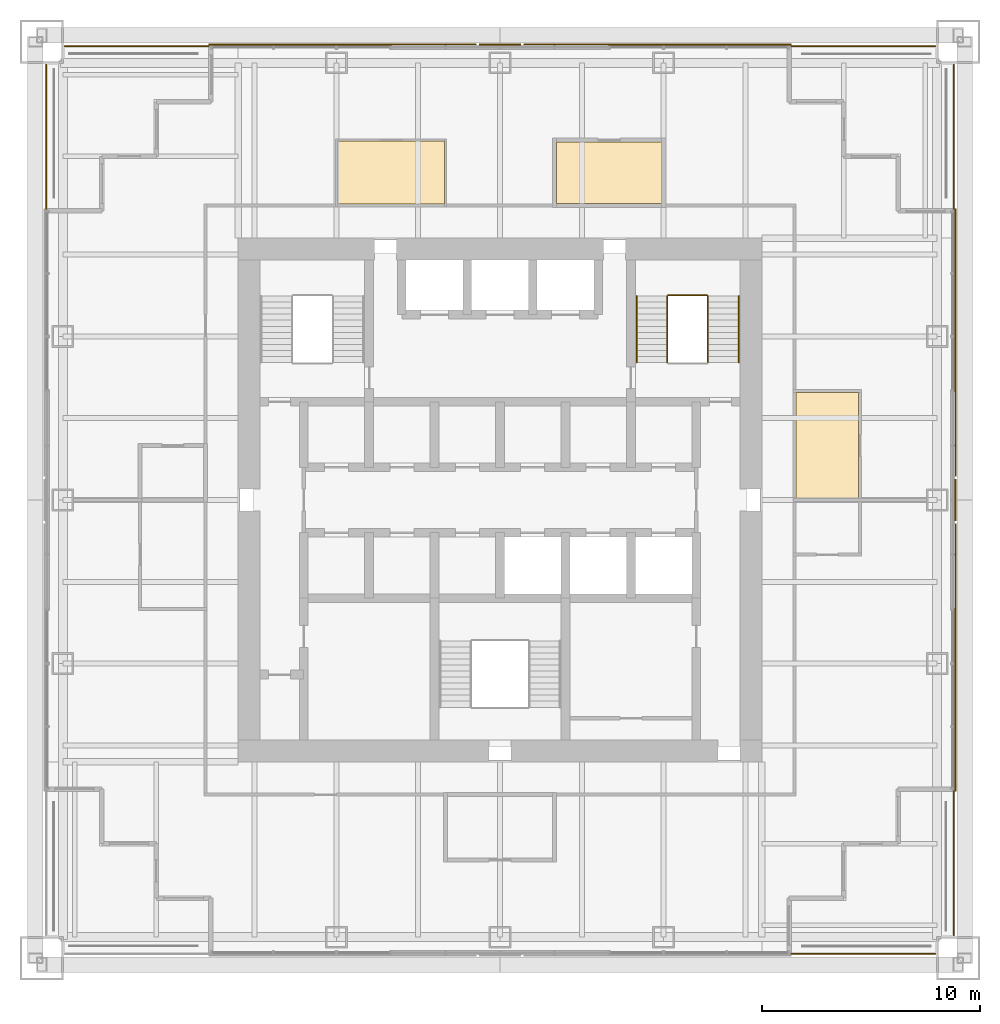
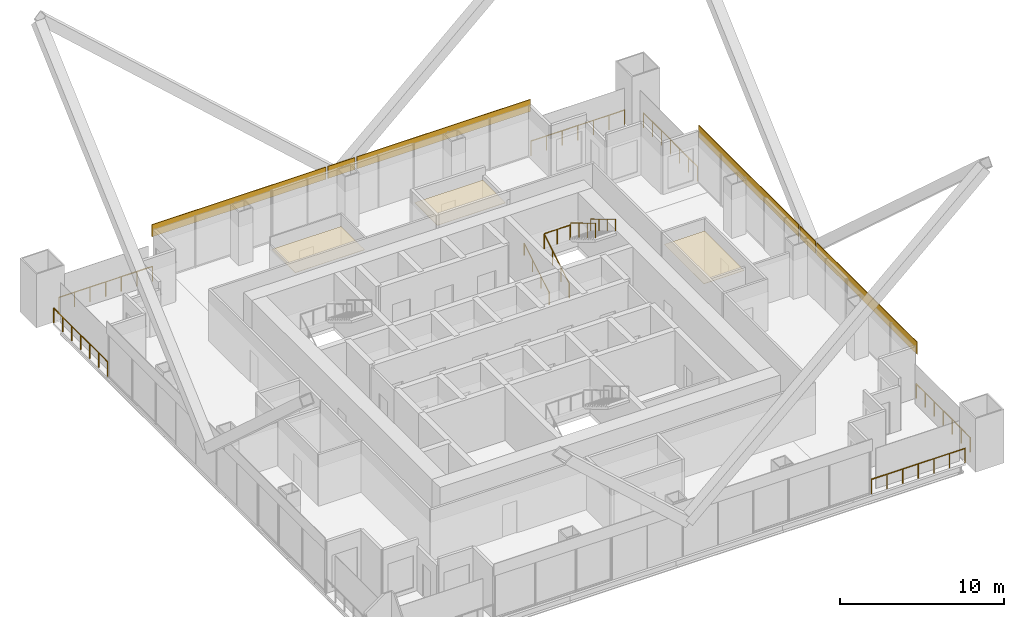
# One storey, part 19 of 19: 11 railings, 9 coverings.
"""IFC4 building model written with IfcOpenShell, lengths in metres."""

from ifc_helpers import new_model, si_unit, direction, frame, origin, origin_2d, place, context, subcontext, project, spatial, polyline, rectangle, circle, outline, extrude, material, layer, layer_set, type_object, element, save


model = new_model("IFC4")

# Units and contexts
model_context = context("Model", 3, precision=1e-05, world=origin(), true_north=direction((0.0, 1.0)))
body_context = subcontext(model_context, "Body", "Model", "MODEL_VIEW")
ifc_project = project(units=[si_unit("LENGTHUNIT", "METRE"), si_unit("AREAUNIT", "SQUARE_METRE"), si_unit("VOLUMEUNIT", "CUBIC_METRE"), si_unit("PLANEANGLEUNIT", "RADIAN"), si_unit("MASSUNIT", "GRAM", prefix="KILO")], contexts=[model_context])

# Site, building, storey
site_placement = place(None, origin())
site = spatial("IfcSite", under=ifc_project, at=site_placement, CompositionType="ELEMENT")
building_placement = place(site_placement, origin())
building = spatial("IfcBuilding", under=site, at=building_placement, Name="Tarangal Relay Tower", CompositionType="ELEMENT")
storey_placement = place(building_placement, frame((0.0, 0.0, 275.89990234375)))
storey = spatial("IfcBuildingStorey", under=building, at=storey_placement, Name="L60", CompositionType="ELEMENT", Elevation=275.89990234375)

# Coverings
ifc_material_1 = material(Name="Black anodised aluminium cladding", Category="aluminium")
ifc_layer_1 = layer(ifc_material_1, 0.050048828125)
ifc_layer_set_1 = layer_set([ifc_layer_1], Name="Black metal spandrel band")
covering_type_1 = type_object("IfcCoveringType", Name="Black metal spandrel band", PredefinedType="CLADDING", material=ifc_layer_set_1)
covering_1_placement = place(storey_placement, frame((-7.22119140625, 20.875, 3.250244140625), z_axis=(0.0, 0.0, 1.0), x_axis=(1.0, 0.0, 0.0)))
element("IfcCovering", 1, at=covering_1_placement, inside=storey, type_object=covering_type_1, Name="Spandrel band SB1 N L60", PredefinedType="CLADDING", context=body_context, shape_type="SweptSolid", body=[
    extrude(rectangle(XDim=12.257568359375, YDim=0.050048828125, at=origin_2d()), origin(), (0.0, 0.0, 1.0), 0.89990234375),
])
covering_2_placement = place(storey_placement, frame((0.0, 20.875, 3.250244140625), z_axis=(0.0, 0.0, 1.0), x_axis=(1.0, 0.0, 0.0)))
element("IfcCovering", 2, at=covering_2_placement, inside=storey, type_object=covering_type_1, Name="Spandrel band SB1 N L60", PredefinedType="CLADDING", context=body_context, shape_type="SweptSolid", body=[
    extrude(rectangle(XDim=1.90478515625, YDim=0.050048828125, at=origin_2d()), origin(), (0.0, 0.0, 1.0), 0.89990234375),
])
for number, where, z_axis, x_axis, name in (
    (3, (7.22119140625, 20.875, 3.250244140625), (0.0, 0.0, 1.0), (1.0, 0.0, 0.0), "Spandrel band SB1 N L60"),
    (4, (20.875, 7.22119140625, 3.250244140625), (0.0, 0.0, 1.0), (0.0, -1.0, 0.0), "Spandrel band SB1 E L60"),
):
    element("IfcCovering", number, at=place(storey_placement, frame(where, z_axis=z_axis, x_axis=x_axis)), inside=storey, type_object=covering_type_1, Name=name, PredefinedType="CLADDING", context=body_context, shape_type="SweptSolid", body=[
        extrude(rectangle(XDim=12.257568359375, YDim=0.050048828125, at=origin_2d()), origin(), (0.0, 0.0, 1.0), 0.89990234375),
    ])
covering_3_placement = place(storey_placement, frame((20.875, 0.0, 3.250244140625), z_axis=(0.0, 0.0, 1.0), x_axis=(0.0, -1.0, 0.0)))
element("IfcCovering", 5, at=covering_3_placement, inside=storey, type_object=covering_type_1, Name="Spandrel band SB1 E L60", PredefinedType="CLADDING", context=body_context, shape_type="SweptSolid", body=[
    extrude(rectangle(XDim=1.90478515625, YDim=0.050048828125, at=origin_2d()), origin(), (0.0, 0.0, 1.0), 0.89990234375),
])
covering_4_placement = place(storey_placement, frame((20.875, -7.22119140625, 3.250244140625), z_axis=(0.0, 0.0, 1.0), x_axis=(0.0, -1.0, 0.0)))
element("IfcCovering", 6, at=covering_4_placement, inside=storey, type_object=covering_type_1, Name="Spandrel band SB1 E L60", PredefinedType="CLADDING", context=body_context, shape_type="SweptSolid", body=[
    extrude(rectangle(XDim=12.257568359375, YDim=0.050048828125, at=origin_2d()), origin(), (0.0, 0.0, 1.0), 0.89990234375),
])

# Railings
ifc_material_2 = material(Name="Steel guard, black finish", Category="steel")
railing_type_1 = type_object("IfcRailingType", Name="Stair guard 1100", PredefinedType="GUARDRAIL", material=ifc_material_2)
railing_1_placement = place(storey_placement, frame((7.669921875, 6.300048828125, 0.166748046875)))
element("IfcRailing", 7, at=railing_1_placement, inside=storey, type_object=railing_type_1, Name="Stair ST-B guard GR1 L60 flight 1", PredefinedType="GUARDRAIL", context=body_context, shape_type="SweptSolid", body=[
    extrude(circle(Radius=0.02392578125, at=origin_2d()), frame((0.0, 0.0, 1.076171875), z_axis=(0.0, 0.85685617095, 0.515555527858), x_axis=(-1.0, 0.0, 0.0)), (0.0, 0.0, 1.0), 3.555908203125),
    extrude(circle(Radius=0.02099609375, at=origin_2d()), origin(), (0.0, 0.0, 1.0), 1.052001953125),
    extrude(circle(Radius=0.02099609375, at=origin_2d()), frame((0.0, 1.015625, 0.611083984375)), (0.0, 0.0, 1.0), 1.052001953125),
    extrude(circle(Radius=0.02099609375, at=origin_2d()), frame((0.0, 2.03125, 1.22216796875)), (0.0, 0.0, 1.0), 1.052001953125),
    extrude(circle(Radius=0.02099609375, at=origin_2d()), frame((0.0, 3.046875, 1.833251953125)), (0.0, 0.0, 1.0), 1.052001953125),
])
railing_2_placement = place(storey_placement, frame((9.530029296875, 9.346923828125, 2.166748046875)))
element("IfcRailing", 8, at=railing_2_placement, inside=storey, type_object=railing_type_1, Name="Stair ST-B guard GR1 L60 flight 2", PredefinedType="GUARDRAIL", context=body_context, shape_type="SweptSolid", body=[
    extrude(circle(Radius=0.02392578125, at=origin_2d()), frame((0.0, 0.0, 1.076171875), z_axis=(0.0, -0.85685617095, 0.515555527858), x_axis=(1.0, 0.0, 0.0)), (0.0, 0.0, 1.0), 3.555908203125),
    extrude(circle(Radius=0.02099609375, at=origin_2d()), origin(), (0.0, 0.0, 1.0), 1.052001953125),
    extrude(circle(Radius=0.02099609375, at=origin_2d()), frame((0.0, -1.015625, 0.611083984375)), (0.0, 0.0, 1.0), 1.052001953125),
    extrude(circle(Radius=0.02099609375, at=origin_2d()), frame((0.0, -2.03125, 1.22216796875)), (0.0, 0.0, 1.0), 1.052001953125),
    extrude(circle(Radius=0.02099609375, at=origin_2d()), frame((0.0, -3.046875, 1.833251953125)), (0.0, 0.0, 1.0), 1.052001953125),
])
railing_3_placement = place(storey_placement, frame((7.699951171875, 9.376953125, 2.0)))
element("IfcRailing", 9, at=railing_3_placement, inside=storey, type_object=railing_type_1, Name="Stair ST-B landing guard GR1 L60", PredefinedType="GUARDRAIL", context=body_context, shape_type="SweptSolid", body=[
    extrude(circle(Radius=0.02392578125, at=origin_2d()), frame((0.0, 0.0, 1.076171875), z_axis=(1.0, 0.0, 0.0), x_axis=(0.0, 1.0, 0.0)), (0.0, 0.0, 1.0), 1.800048828125),
    extrude(circle(Radius=0.02099609375, at=origin_2d()), origin(), (0.0, 0.0, 1.0), 1.052001953125),
    extrude(circle(Radius=0.02099609375, at=origin_2d()), frame((0.89990234375, 0.0, 0.0)), (0.0, 0.0, 1.0), 1.052001953125),
    extrude(circle(Radius=0.02099609375, at=origin_2d()), frame((1.800048828125, 0.0, 0.0)), (0.0, 0.0, 1.0), 1.052001953125),
])
ifc_material_3 = material(Name="Steel handrail, black finish", Category="steel")
railing_type_2 = type_object("IfcRailingType", Name="Stair handrail 900", PredefinedType="HANDRAIL", material=ifc_material_3)
railing_4_placement = place(storey_placement, frame((6.260009765625, 6.300048828125, 0.166748046875)))
element("IfcRailing", 10, at=railing_4_placement, inside=storey, type_object=railing_type_2, Name="Stair ST-B handrail HR1 L60 flight 1", PredefinedType="HANDRAIL", context=body_context, shape_type="SweptSolid", body=[
    extrude(circle(Radius=0.02392578125, at=origin_2d()), frame((0.0, 0.0, 0.8759765625), z_axis=(0.0, 0.85685617095, 0.515555527858), x_axis=(-1.0, 0.0, 0.0)), (0.0, 0.0, 1.0), 3.555908203125),
    extrude(circle(Radius=0.02099609375, at=origin_2d()), origin(), (0.0, 0.0, 1.0), 0.851806640625),
    extrude(circle(Radius=0.02099609375, at=origin_2d()), frame((0.0, 1.015625, 0.611083984375)), (0.0, 0.0, 1.0), 0.851806640625),
    extrude(circle(Radius=0.02099609375, at=origin_2d()), frame((0.0, 2.03125, 1.22216796875)), (0.0, 0.0, 1.0), 0.851806640625),
    extrude(circle(Radius=0.02099609375, at=origin_2d()), frame((0.0, 3.046875, 1.833251953125)), (0.0, 0.0, 1.0), 0.851806640625),
])
railing_5_placement = place(storey_placement, frame((10.93994140625, 9.346923828125, 2.166748046875)))
element("IfcRailing", 11, at=railing_5_placement, inside=storey, type_object=railing_type_2, Name="Stair ST-B handrail HR1 L60 flight 2", PredefinedType="HANDRAIL", context=body_context, shape_type="SweptSolid", body=[
    extrude(circle(Radius=0.02392578125, at=origin_2d()), frame((0.0, 0.0, 0.8759765625), z_axis=(0.0, -0.85685617095, 0.515555527858), x_axis=(1.0, 0.0, 0.0)), (0.0, 0.0, 1.0), 3.555908203125),
    extrude(circle(Radius=0.02099609375, at=origin_2d()), origin(), (0.0, 0.0, 1.0), 0.851806640625),
    extrude(circle(Radius=0.02099609375, at=origin_2d()), frame((0.0, -1.015625, 0.611083984375)), (0.0, 0.0, 1.0), 0.851806640625),
    extrude(circle(Radius=0.02099609375, at=origin_2d()), frame((0.0, -2.03125, 1.22216796875)), (0.0, 0.0, 1.0), 0.851806640625),
    extrude(circle(Radius=0.02099609375, at=origin_2d()), frame((0.0, -3.046875, 1.833251953125)), (0.0, 0.0, 1.0), 0.851806640625),
])

# Coverings
ifc_material_4 = material(Name="Mineral fibre ceiling tiles", Category="gypsum")
ifc_layer_2 = layer(ifc_material_4, 0.02001953125)
ifc_layer_set_2 = layer_set([ifc_layer_2], Name="Suspended ceiling")
covering_type_2 = type_object("IfcCoveringType", Name="Suspended ceiling", PredefinedType="CEILING", material=ifc_layer_set_2)
covering_5_placement = place(storey_placement, frame((0.0, 0.0, 2.900146484375)))
element("IfcCovering", 12, at=covering_5_placement, inside=storey, type_object=covering_type_2, Name="Suspended ceiling CL1 L60-02", PredefinedType="CEILING", context=body_context, shape_type="SweptSolid", body=[
    extrude(outline(polyline([(-7.449951171875, 13.574951171875), (-2.550048828125, 13.574951171875), (-2.550048828125, 16.449951171875), (-7.449951171875, 16.449951171875), (-7.449951171875, 13.574951171875)])), origin(), (0.0, 0.0, 1.0), 0.02001953125),
])
covering_6_placement = place(storey_placement, frame((0.0, 0.0, 2.900146484375)))
element("IfcCovering", 13, at=covering_6_placement, inside=storey, type_object=covering_type_2, Name="Suspended ceiling CL1 L60-03", PredefinedType="CEILING", context=body_context, shape_type="SweptSolid", body=[
    extrude(outline(polyline([(2.60009765625, 16.39990234375), (2.60009765625, 13.60009765625), (7.39990234375, 13.60009765625), (7.39990234375, 16.39990234375), (2.60009765625, 16.39990234375)])), origin(), (0.0, 0.0, 1.0), 0.02001953125),
])
covering_7_placement = place(storey_placement, frame((0.0, 0.0, 2.900146484375)))
element("IfcCovering", 14, at=covering_7_placement, inside=storey, type_object=covering_type_2, Name="Suspended ceiling CL1 L60-04", PredefinedType="CEILING", context=body_context, shape_type="SweptSolid", body=[
    extrude(outline(polyline([(16.425048828125, 0.074951171875), (16.425048828125, 4.925048828125), (13.574951171875, 4.925048828125), (13.574951171875, 0.074951171875), (16.425048828125, 0.074951171875)])), origin(), (0.0, 0.0, 1.0), 0.02001953125),
])

# Railings
ifc_material_5 = material(Name="Black steel guard with glass infill", Category="steel")
railing_type_3 = type_object("IfcRailingType", Name="Terrace guard 1100", PredefinedType="GUARDRAIL", material=ifc_material_5)
railing_6_placement = place(storey_placement, frame((13.35009765625, 20.800048828125, 0.0)))
element("IfcRailing", 15, at=railing_6_placement, inside=storey, type_object=railing_type_3, Name="Terrace guard GR2 NE L60", PredefinedType="GUARDRAIL", context=body_context, shape_type="SweptSolid", body=[
    extrude(circle(Radius=0.02392578125, at=origin_2d()), frame((0.0, 0.0, 1.076171875), z_axis=(1.0, 0.0, 0.0), x_axis=(0.0, 1.0, 0.0)), (0.0, 0.0, 1.0), 6.599853515625),
    extrude(circle(Radius=0.02099609375, at=origin_2d()), origin(), (0.0, 0.0, 1.0), 1.052001953125),
    extrude(circle(Radius=0.02099609375, at=origin_2d()), frame((1.10009765625, 0.0, 0.0)), (0.0, 0.0, 1.0), 1.052001953125),
    extrude(circle(Radius=0.02099609375, at=origin_2d()), frame((2.199951171875, 0.0, 0.0)), (0.0, 0.0, 1.0), 1.052001953125),
    extrude(circle(Radius=0.02099609375, at=origin_2d()), frame((3.2998046875, 0.0, 0.0)), (0.0, 0.0, 1.0), 1.052001953125),
    extrude(circle(Radius=0.02099609375, at=origin_2d()), frame((4.39990234375, 0.0, 0.0)), (0.0, 0.0, 1.0), 1.052001953125),
    extrude(circle(Radius=0.02099609375, at=origin_2d()), frame((5.5, 0.0, 0.0)), (0.0, 0.0, 1.0), 1.052001953125),
    extrude(circle(Radius=0.02099609375, at=origin_2d()), frame((6.599853515625, 0.0, 0.0)), (0.0, 0.0, 1.0), 1.052001953125),
])
for number, where, name in (
    (16, (20.800048828125, 19.949951171875, 0.0), "Terrace guard GR2 NE L60"),
    (17, (20.800048828125, -13.35009765625, 0.0), "Terrace guard GR2 SE L60"),
):
    element("IfcRailing", number, at=place(storey_placement, frame(where)), inside=storey, type_object=railing_type_3, Name=name, PredefinedType="GUARDRAIL", context=body_context, shape_type="SweptSolid", body=[
        extrude(circle(Radius=0.02392578125, at=origin_2d()), frame((0.0, 0.0, 1.076171875), z_axis=(0.0, -1.0, 0.0), x_axis=(1.0, 0.0, 0.0)), (0.0, 0.0, 1.0), 6.599853515625),
        extrude(circle(Radius=0.02099609375, at=origin_2d()), origin(), (0.0, 0.0, 1.0), 1.052001953125),
        extrude(circle(Radius=0.02099609375, at=origin_2d()), frame((0.0, -1.10009765625, 0.0)), (0.0, 0.0, 1.0), 1.052001953125),
        extrude(circle(Radius=0.02099609375, at=origin_2d()), frame((0.0, -2.199951171875, 0.0)), (0.0, 0.0, 1.0), 1.052001953125),
        extrude(circle(Radius=0.02099609375, at=origin_2d()), frame((0.0, -3.2998046875, 0.0)), (0.0, 0.0, 1.0), 1.052001953125),
        extrude(circle(Radius=0.02099609375, at=origin_2d()), frame((0.0, -4.39990234375, 0.0)), (0.0, 0.0, 1.0), 1.052001953125),
        extrude(circle(Radius=0.02099609375, at=origin_2d()), frame((0.0, -5.5, 0.0)), (0.0, 0.0, 1.0), 1.052001953125),
        extrude(circle(Radius=0.02099609375, at=origin_2d()), frame((0.0, -6.599853515625, 0.0)), (0.0, 0.0, 1.0), 1.052001953125),
    ])
railing_7_placement = place(storey_placement, frame((19.949951171875, -20.800048828125, 0.0)))
element("IfcRailing", 18, at=railing_7_placement, inside=storey, type_object=railing_type_3, Name="Terrace guard GR2 SE L60", PredefinedType="GUARDRAIL", context=body_context, shape_type="SweptSolid", body=[
    extrude(circle(Radius=0.02392578125, at=origin_2d()), frame((0.0, 0.0, 1.076171875), z_axis=(-1.0, 0.0, 0.0), x_axis=(0.0, -1.0, 0.0)), (0.0, 0.0, 1.0), 6.599853515625),
    extrude(circle(Radius=0.02099609375, at=origin_2d()), origin(), (0.0, 0.0, 1.0), 1.052001953125),
    extrude(circle(Radius=0.02099609375, at=origin_2d()), frame((-1.10009765625, 0.0, 0.0)), (0.0, 0.0, 1.0), 1.052001953125),
    extrude(circle(Radius=0.02099609375, at=origin_2d()), frame((-2.199951171875, 0.0, 0.0)), (0.0, 0.0, 1.0), 1.052001953125),
    extrude(circle(Radius=0.02099609375, at=origin_2d()), frame((-3.2998046875, 0.0, 0.0)), (0.0, 0.0, 1.0), 1.052001953125),
    extrude(circle(Radius=0.02099609375, at=origin_2d()), frame((-4.39990234375, 0.0, 0.0)), (0.0, 0.0, 1.0), 1.052001953125),
    extrude(circle(Radius=0.02099609375, at=origin_2d()), frame((-5.5, 0.0, 0.0)), (0.0, 0.0, 1.0), 1.052001953125),
    extrude(circle(Radius=0.02099609375, at=origin_2d()), frame((-6.599853515625, 0.0, 0.0)), (0.0, 0.0, 1.0), 1.052001953125),
])
railing_8_placement = place(storey_placement, frame((-20.800048828125, 13.35009765625, 0.0)))
element("IfcRailing", 19, at=railing_8_placement, inside=storey, type_object=railing_type_3, Name="Terrace guard GR2 NW L60", PredefinedType="GUARDRAIL", context=body_context, shape_type="SweptSolid", body=[
    extrude(circle(Radius=0.02392578125, at=origin_2d()), frame((0.0, 0.0, 1.076171875), z_axis=(0.0, 1.0, 0.0), x_axis=(-1.0, 0.0, 0.0)), (0.0, 0.0, 1.0), 6.599853515625),
    extrude(circle(Radius=0.02099609375, at=origin_2d()), origin(), (0.0, 0.0, 1.0), 1.052001953125),
    extrude(circle(Radius=0.02099609375, at=origin_2d()), frame((0.0, 1.10009765625, 0.0)), (0.0, 0.0, 1.0), 1.052001953125),
    extrude(circle(Radius=0.02099609375, at=origin_2d()), frame((0.0, 2.199951171875, 0.0)), (0.0, 0.0, 1.0), 1.052001953125),
    extrude(circle(Radius=0.02099609375, at=origin_2d()), frame((0.0, 3.2998046875, 0.0)), (0.0, 0.0, 1.0), 1.052001953125),
    extrude(circle(Radius=0.02099609375, at=origin_2d()), frame((0.0, 4.39990234375, 0.0)), (0.0, 0.0, 1.0), 1.052001953125),
    extrude(circle(Radius=0.02099609375, at=origin_2d()), frame((0.0, 5.5, 0.0)), (0.0, 0.0, 1.0), 1.052001953125),
    extrude(circle(Radius=0.02099609375, at=origin_2d()), frame((0.0, 6.599853515625, 0.0)), (0.0, 0.0, 1.0), 1.052001953125),
])
railing_9_placement = place(storey_placement, frame((-19.949951171875, 20.800048828125, 0.0)))
element("IfcRailing", 20, at=railing_9_placement, inside=storey, type_object=railing_type_3, Name="Terrace guard GR2 NW L60", PredefinedType="GUARDRAIL", context=body_context, shape_type="SweptSolid", body=[
    extrude(circle(Radius=0.02392578125, at=origin_2d()), frame((0.0, 0.0, 1.076171875), z_axis=(1.0, 0.0, 0.0), x_axis=(0.0, 1.0, 0.0)), (0.0, 0.0, 1.0), 6.599853515625),
    extrude(circle(Radius=0.02099609375, at=origin_2d()), origin(), (0.0, 0.0, 1.0), 1.052001953125),
    extrude(circle(Radius=0.02099609375, at=origin_2d()), frame((1.10009765625, 0.0, 0.0)), (0.0, 0.0, 1.0), 1.052001953125),
    extrude(circle(Radius=0.02099609375, at=origin_2d()), frame((2.199951171875, 0.0, 0.0)), (0.0, 0.0, 1.0), 1.052001953125),
    extrude(circle(Radius=0.02099609375, at=origin_2d()), frame((3.2998046875, 0.0, 0.0)), (0.0, 0.0, 1.0), 1.052001953125),
    extrude(circle(Radius=0.02099609375, at=origin_2d()), frame((4.39990234375, 0.0, 0.0)), (0.0, 0.0, 1.0), 1.052001953125),
    extrude(circle(Radius=0.02099609375, at=origin_2d()), frame((5.5, 0.0, 0.0)), (0.0, 0.0, 1.0), 1.052001953125),
    extrude(circle(Radius=0.02099609375, at=origin_2d()), frame((6.599853515625, 0.0, 0.0)), (0.0, 0.0, 1.0), 1.052001953125),
])

save(model, "model.ifc")
